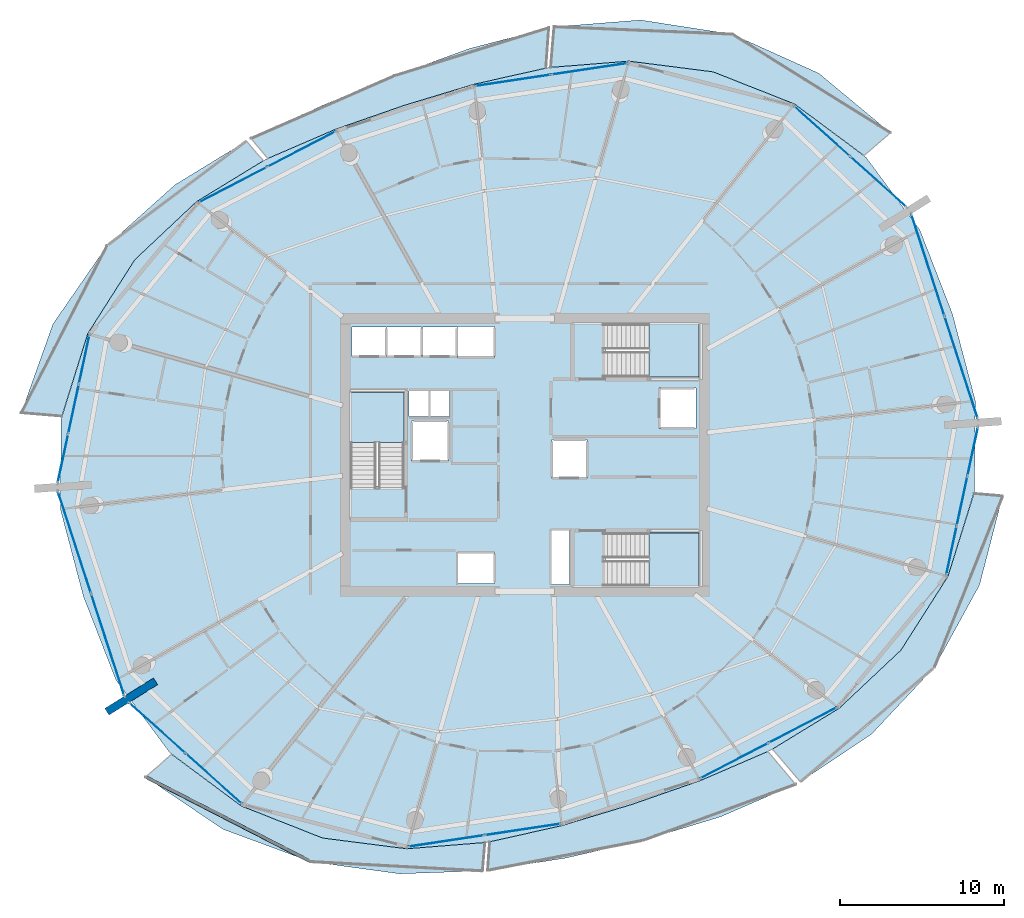
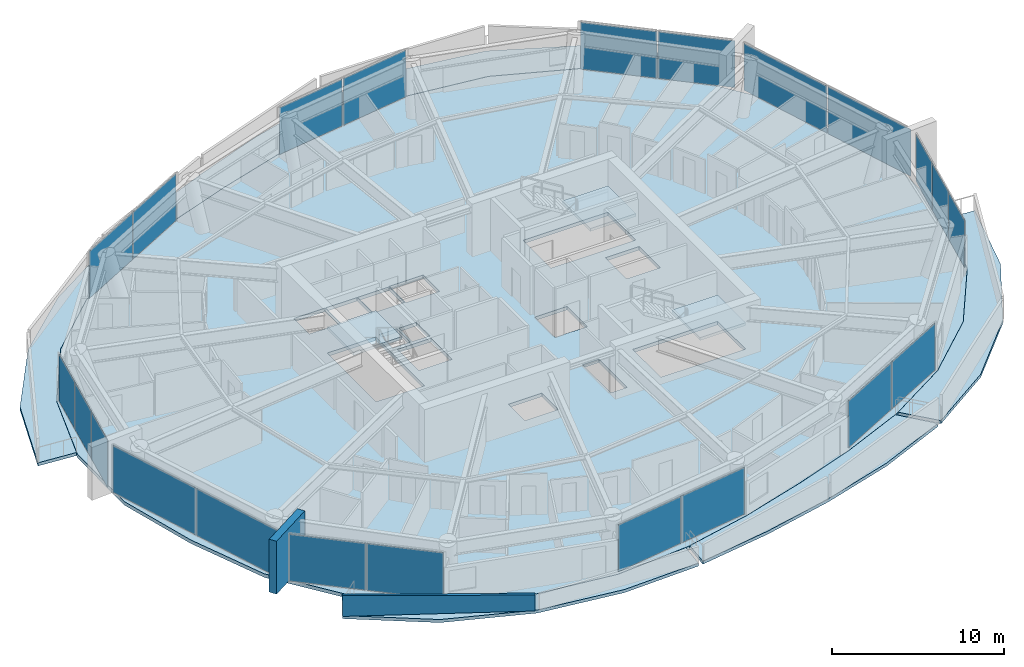
# One storey, part 9 of 20: 22 plates, 10 slabs, 2 walls, 13 elements without a shape of their own.
"""IFC4 building model written with IfcOpenShell, lengths in metres."""

import ifcopenshell
import ifcopenshell.guid

model = None  # the IFC model being written
_history = None  # IfcOwnerHistory: only IFC2X3 demands one
_inside = {}  # id of a spatial element -> (the spatial element, [elements in it])
_under = {}  # id of a project, library or spatial element -> (it, [spatial elements below it])
_declared = {}  # id of a project -> (the project, [libraries it declares])
_typed = {}  # id of a type object -> (the type object, [elements of that type])
_made_of = {}  # id of a material, layer set ... -> (it, [elements and type objects made of it])


def new_model(schema):
    """Start an empty IFC model of exactly this schema.

    Asked for "IFC4X3", IfcOpenShell would pick the latest addendum, in which some entities
    have other attributes; the version numbers below select the first issue.
    IFC2X3 requires an IfcOwnerHistory on every rooted entity: one is made here for all.
    """
    global model, _history
    if schema == "IFC4X3":
        model = ifcopenshell.file(schema_version=(4, 3, 0, 0))
    else:
        model = ifcopenshell.file(schema=schema)
    _inside.clear()
    _under.clear()
    _declared.clear()
    _typed.clear()
    _made_of.clear()
    _history = None
    if model.schema == "IFC2X3":
        org = make("IfcOrganization", Name="unknown")
        user = make(
            "IfcPersonAndOrganization",
            ThePerson=make("IfcPerson", FamilyName="unknown"),
            TheOrganization=org,
        )
        app = make(
            "IfcApplication",
            ApplicationDeveloper=org,
            Version="unknown",
            ApplicationFullName="unknown",
            ApplicationIdentifier="unknown",
        )
        _history = make(
            "IfcOwnerHistory",
            OwningUser=user,
            OwningApplication=app,
            ChangeAction="ADDED",
            CreationDate=0,
        )
    return model


def make(cls, **values):
    """One entity of the class cls with the attributes given. An attribute that is None is left unset."""
    return model.create_entity(
        cls, **{name: value for name, value in values.items() if value is not None}
    )


def rooted(cls, **values):
    """An entity with a GlobalId (a new one), such as an element, a storey or a relation."""
    return make(cls, GlobalId=ifcopenshell.guid.new(), OwnerHistory=_history, **values)


def si_unit(unit_type, name, prefix=None):
    """IfcSIUnit, for example si_unit("LENGTHUNIT", "METRE", prefix="MILLI")."""
    return make("IfcSIUnit", UnitType=unit_type, Prefix=prefix, Name=name)


def assignment(units):
    """IfcUnitAssignment: the units of a project."""
    return None if units is None else make("IfcUnitAssignment", Units=units)


def point(xyz):
    """IfcCartesianPoint."""
    return None if xyz is None else make("IfcCartesianPoint", Coordinates=xyz)


def direction(xyz):
    """IfcDirection."""
    return None if xyz is None else make("IfcDirection", DirectionRatios=xyz)


def frame(location, z_axis=None, x_axis=None):
    """IfcAxis2Placement3D, a coordinate frame: its origin and axes. An axis left out is left unset."""
    return make(
        "IfcAxis2Placement3D",
        Location=point(location),
        Axis=direction(z_axis),
        RefDirection=direction(x_axis),
    )


def frame_2d(location, x_axis=None):
    """IfcAxis2Placement2D, a coordinate frame in the plane: its origin and x axis."""
    return make(
        "IfcAxis2Placement2D", Location=point(location), RefDirection=direction(x_axis)
    )


def origin():
    """The frame at (0, 0, 0) with its axes left unset."""
    return frame((0.0, 0.0, 0.0))


def origin_2d():
    """The frame at (0, 0) in the plane with its x axis left unset."""
    return frame_2d((0.0, 0.0))


def place(relative_to, where):
    """IfcLocalPlacement: puts the frame where relative to a parent placement (None: the world)."""
    return make(
        "IfcLocalPlacement", PlacementRelTo=relative_to, RelativePlacement=where
    )


def context(
    kind, dimensions, precision=None, world=None, true_north=None, identifier=None
):
    """IfcGeometricRepresentationContext, for example the 3D "Model" context."""
    return make(
        "IfcGeometricRepresentationContext",
        ContextIdentifier=identifier,
        ContextType=kind,
        CoordinateSpaceDimension=dimensions,
        Precision=precision,
        WorldCoordinateSystem=world,
        TrueNorth=true_north,
    )


def subcontext(parent, identifier, kind, view, scale=None):
    """IfcGeometricRepresentationSubContext, for example "Body" below "Model"."""
    return make(
        "IfcGeometricRepresentationSubContext",
        ContextIdentifier=identifier,
        ContextType=kind,
        ParentContext=parent,
        TargetScale=scale,
        TargetView=view,
    )


def project(units=None, contexts=None):
    """IfcProject with its units and contexts."""
    return rooted(
        "IfcProject",
        Name="project",
        RepresentationContexts=contexts,
        UnitsInContext=assignment(units),
    )


def spatial(cls, under=None, at=None, **own):
    """A site, building, storey or space (cls), placed at a placement, below another one or the project."""
    s = rooted(cls, ObjectPlacement=at, **own)
    if under is not None:
        _under.setdefault(under.id(), (under, []))[1].append(s)
    return s


def polyline(points):
    """IfcPolyline through the points."""
    return make("IfcPolyline", Points=[point(p) for p in points])


def profile(cls, at=None, kind="AREA", **sizes):
    """A parametric profile (cls). Its sizes go by their IFC names, for example OverallWidth=200.0."""
    return make(cls, ProfileType=kind, Position=at, **sizes)


def rectangle(**sizes):
    """IfcRectangleProfileDef."""
    return profile("IfcRectangleProfileDef", **sizes)


def outline(outer, holes=None, kind="AREA"):
    """IfcArbitraryClosedProfileDef: a profile drawn as a closed curve; with holes, ...WithVoids."""
    if holes is None:
        return make("IfcArbitraryClosedProfileDef", ProfileType=kind, OuterCurve=outer)
    return make(
        "IfcArbitraryProfileDefWithVoids",
        ProfileType=kind,
        OuterCurve=outer,
        InnerCurves=holes,
    )


def extrude(swept, where, along, depth):
    """IfcExtrudedAreaSolid: the profile swept, set in the frame where, extruded along a direction by depth."""
    return make(
        "IfcExtrudedAreaSolid",
        SweptArea=swept,
        Position=where,
        ExtrudedDirection=direction(along),
        Depth=depth,
    )


def shape(context_of_items, identifier, shape_type, items):
    """IfcShapeRepresentation: the items that make up one representation, for example the "Body"."""
    return make(
        "IfcShapeRepresentation",
        ContextOfItems=context_of_items,
        RepresentationIdentifier=identifier,
        RepresentationType=shape_type,
        Items=items,
    )


def material(Name=None, Category=None):
    """IfcMaterial."""
    return make("IfcMaterial", Name=Name, Category=Category)


def layer(
    of_material, thickness, ventilated=None, Name=None, Category=None, Priority=None
):
    """IfcMaterialLayer: one layer of a wall or slab, of a material (None: an air gap)."""
    return make(
        "IfcMaterialLayer",
        Material=of_material,
        LayerThickness=thickness,
        IsVentilated=ventilated,
        Name=Name,
        Category=Category,
        Priority=Priority,
    )


def layer_set(layers, Name=None):
    """IfcMaterialLayerSet."""
    return make("IfcMaterialLayerSet", MaterialLayers=layers, LayerSetName=Name)


def made_of(thing, what):
    """Note that an element or type object is made of a material, layer set ...; save() writes the relation."""
    if what is not None:
        _made_of.setdefault(what.id(), (what, []))[1].append(thing)
    return thing


def type_object(cls, material=None, **own):
    """A type object (cls), such as IfcWallType, which elements share."""
    return made_of(rooted(cls, **own), material)


def element(
    cls,
    number,
    at=None,
    inside=None,
    cuts=None,
    type_object=None,
    material=None,
    context=None,
    identifier="Body",
    shape_type=None,
    held_by="IfcProductDefinitionShape",
    body=None,
    shapes=None,
    **own,
):
    """One element of the class cls, such as IfcWall. Its Tag is "e" and its number.

    at: its placement. inside: the storey or other place that contains it. cuts: it is an
    opening in that element (IfcRelVoidsElement). A single representation is given by context,
    identifier, shape_type and body (its items); several are given by shapes. held_by: the class
    of the entity that holds the representations. save() writes the other relations.
    """
    e = rooted(cls, Tag="e%d" % number, ObjectPlacement=at, **own)
    if body is not None:
        shapes = [shape(context, identifier, shape_type, body)]
    if shapes is not None:
        e.Representation = make(held_by, Representations=shapes)
    if inside is not None:
        _inside.setdefault(inside.id(), (inside, []))[1].append(e)
    if cuts is not None:
        rooted(
            "IfcRelVoidsElement", RelatingBuildingElement=cuts, RelatedOpeningElement=e
        )
    if type_object is not None:
        _typed.setdefault(type_object.id(), (type_object, []))[1].append(e)
    return made_of(e, material)


def aggregate(whole, parts):
    """IfcRelAggregates: a whole, such as a stair, and the parts it consists of."""
    return rooted("IfcRelAggregates", RelatingObject=whole, RelatedObjects=parts)


def save(model, path):
    """Write the relations noted so far, then the file.

    IfcRelAggregates (storeys below a building ...), IfcRelContainedInSpatialStructure (elements
    in a storey), IfcRelDefinesByType, IfcRelAssociatesMaterial and IfcRelDeclares: one each for
    every whole, place, type object, material and project.
    """
    for whole, parts in _under.values():
        aggregate(whole, parts)
    for where, things in _inside.values():
        rooted(
            "IfcRelContainedInSpatialStructure",
            RelatedElements=things,
            RelatingStructure=where,
        )
    for kind, things in _typed.values():
        rooted("IfcRelDefinesByType", RelatedObjects=things, RelatingType=kind)
    for what, things in _made_of.values():
        rooted("IfcRelAssociatesMaterial", RelatedObjects=things, RelatingMaterial=what)
    for by, libraries in _declared.values():
        rooted("IfcRelDeclares", RelatingContext=by, RelatedDefinitions=libraries)
    model.write(path)


model = new_model("IFC4")

# Units and contexts
model_context = context("Model", 3, precision=1e-05, world=origin(), true_north=direction((0.0, 1.0)))
body_context = subcontext(model_context, "Body", "Model", "MODEL_VIEW")
ifc_project = project(units=[si_unit("LENGTHUNIT", "METRE"), si_unit("AREAUNIT", "SQUARE_METRE"), si_unit("VOLUMEUNIT", "CUBIC_METRE"), si_unit("PLANEANGLEUNIT", "RADIAN"), si_unit("MASSUNIT", "GRAM", prefix="KILO")], contexts=[model_context])

# Site, building, storey
site_placement = place(None, origin())
site = spatial("IfcSite", under=ifc_project, at=site_placement, CompositionType="ELEMENT")
building_placement = place(site_placement, origin())
building = spatial("IfcBuilding", under=site, at=building_placement, Name="Kazma Halo Residences", CompositionType="ELEMENT")
storey_placement = place(building_placement, frame((0.0, 0.0, 221.550048828125)))
storey = spatial("IfcBuildingStorey", under=building, at=storey_placement, Name="L56", CompositionType="ELEMENT", Elevation=221.550048828125)

# Curtain wall, plates
ifc_material_1 = material(Name="Aluminium AW-6063 T6 and Triple-Silver Low-E Glass", Category="aluminium")
ifc_layer_1 = layer(ifc_material_1, 0.219970703125)
ifc_layer_set_1 = layer_set([ifc_layer_1], Name="Aluminium AW-6063 T6 and Triple-Silver Low-E Glass")
curtain_wall_type = type_object("IfcCurtainWallType", Name="CW-SYS-4", PredefinedType="NOTDEFINED", material=ifc_layer_set_1)
curtain_wall_1_placement = place(storey_placement, origin())
curtain_wall_1 = element("IfcCurtainWall", 1, at=curtain_wall_1_placement, inside=storey, type_object=curtain_wall_type, Name="L56 unitised curtain wall B01", PredefinedType="NOTDEFINED")
ifc_material_2 = material(Name="Clear Triple-Silver Low-E Glass IGU", Category="glass")
ifc_layer_2 = layer(ifc_material_2, 0.033935546875)
ifc_layer_set_2 = layer_set([ifc_layer_2], Name="Clear Triple-Silver Low-E Glass IGU")
plate_type = type_object("IfcPlateType", Name="CW-SYS-4-PNL", PredefinedType="CURTAIN_PANEL", material=ifc_layer_set_2)
plate_1_placement = place(storey_placement, frame((70.001220703125, 58.669677734375, 0.07470703125), z_axis=(0.0, 0.0, 1.0), x_axis=(-0.744354814723, 0.667784328806, 0.0)))
plate_1 = element("IfcPlate", 2, at=plate_1_placement, type_object=plate_type, Name="CWS-4 panel 1.1", PredefinedType="CURTAIN_PANEL", context=body_context, shape_type="SweptSolid", body=[
    extrude(rectangle(XDim=4.5478515625, YDim=0.033935546875, at=origin_2d()), origin(), (0.0, 0.0, 1.0), 3.320068359375),
])
plate_2_placement = place(storey_placement, frame((66.56005859375, 61.7568359375, 0.07470703125), z_axis=(0.0, 0.0, 1.0), x_axis=(-0.744354814723, 0.667784328806, 0.0)))
plate_2 = element("IfcPlate", 3, at=plate_2_placement, type_object=plate_type, Name="CWS-4 panel 2.1", PredefinedType="CURTAIN_PANEL", context=body_context, shape_type="SweptSolid", body=[
    extrude(rectangle(XDim=4.5478515625, YDim=0.033935546875, at=origin_2d()), origin(), (0.0, 0.0, 1.0), 3.320068359375),
])
aggregate(curtain_wall_1, [plate_1, plate_2])

curtain_wall_2_placement = place(storey_placement, origin())
curtain_wall_2 = element("IfcCurtainWall", 4, at=curtain_wall_2_placement, inside=storey, type_object=curtain_wall_type, Name="L56 unitised curtain wall B03", PredefinedType="NOTDEFINED")
plate_3_placement = place(storey_placement, frame((52.375, 65.562255859375, 0.07470703125), z_axis=(0.0, 0.0, 1.0), x_axis=(-0.988871428361, -0.148772639188, 0.0)))
plate_3 = element("IfcPlate", 5, at=plate_3_placement, type_object=plate_type, Name="CWS-4 panel 1.1", PredefinedType="CURTAIN_PANEL", context=body_context, shape_type="SweptSolid", body=[
    extrude(rectangle(XDim=4.64501953125, YDim=0.033935546875, at=origin_2d()), origin(), (0.0, 0.0, 1.0), 3.320068359375),
])
plate_4_placement = place(storey_placement, frame((47.70751953125, 64.860107421875, 0.07470703125), z_axis=(0.0, 0.0, 1.0), x_axis=(-0.988871428361, -0.148772639188, 0.0)))
plate_4 = element("IfcPlate", 6, at=plate_4_placement, type_object=plate_type, Name="CWS-4 panel 2.1", PredefinedType="CURTAIN_PANEL", context=body_context, shape_type="SweptSolid", body=[
    extrude(rectangle(XDim=4.64501953125, YDim=0.033935546875, at=origin_2d()), origin(), (0.0, 0.0, 1.0), 3.320068359375),
])
aggregate(curtain_wall_2, [plate_3, plate_4])

curtain_wall_3_placement = place(storey_placement, origin())
curtain_wall_3 = element("IfcCurtainWall", 7, at=curtain_wall_3_placement, inside=storey, type_object=curtain_wall_type, Name="L56 unitised curtain wall B05", PredefinedType="NOTDEFINED")
plate_5_placement = place(storey_placement, frame((34.7998046875, 60.666015625, 0.07470703125), z_axis=(0.0, 0.0, 1.0), x_axis=(-0.887465657575, -0.460873851097, 0.0)))
plate_5 = element("IfcPlate", 8, at=plate_5_placement, type_object=plate_type, Name="CWS-4 panel 1.1", PredefinedType="CURTAIN_PANEL", context=body_context, shape_type="SweptSolid", body=[
    extrude(rectangle(XDim=4.64501953125, YDim=0.033935546875, at=origin_2d()), origin(), (0.0, 0.0, 1.0), 3.320068359375),
])
plate_6_placement = place(storey_placement, frame((30.61083984375, 58.49072265625, 0.07470703125), z_axis=(0.0, 0.0, 1.0), x_axis=(-0.887465657575, -0.460873851097, 0.0)))
plate_6 = element("IfcPlate", 9, at=plate_6_placement, type_object=plate_type, Name="CWS-4 panel 2.1", PredefinedType="CURTAIN_PANEL", context=body_context, shape_type="SweptSolid", body=[
    extrude(rectangle(XDim=4.64501953125, YDim=0.033935546875, at=origin_2d()), origin(), (0.0, 0.0, 1.0), 3.320068359375),
])
aggregate(curtain_wall_3, [plate_5, plate_6])

curtain_wall_4_placement = place(storey_placement, origin())
curtain_wall_4 = element("IfcCurtainWall", 10, at=curtain_wall_4_placement, inside=storey, type_object=curtain_wall_type, Name="L56 unitised curtain wall B07", PredefinedType="NOTDEFINED")
plate_7_placement = place(storey_placement, frame((21.53466796875, 47.833740234375, 0.07470703125), z_axis=(0.0, 0.0, 1.0), x_axis=(-0.209689543175, -0.977768017212, 0.0)))
plate_7 = element("IfcPlate", 11, at=plate_7_placement, type_object=plate_type, Name="CWS-4 panel 1.1", PredefinedType="CURTAIN_PANEL", context=body_context, shape_type="SweptSolid", body=[
    extrude(rectangle(XDim=2.994384765625, YDim=0.033935546875, at=origin_2d()), origin(), (0.0, 0.0, 1.0), 3.320068359375),
])
plate_8_placement = place(storey_placement, frame((20.88720703125, 44.814208984375, 0.07470703125), z_axis=(0.0, 0.0, 1.0), x_axis=(-0.209689543175, -0.977768017212, 0.0)))
plate_8 = element("IfcPlate", 12, at=plate_8_placement, type_object=plate_type, Name="CWS-4 panel 2.1", PredefinedType="CURTAIN_PANEL", context=body_context, shape_type="SweptSolid", body=[
    extrude(rectangle(XDim=3.031982421875, YDim=0.033935546875, at=origin_2d()), origin(), (0.0, 0.0, 1.0), 3.320068359375),
])
plate_9_placement = place(storey_placement, frame((20.239501953125, 41.794677734375, 0.07470703125), z_axis=(0.0, 0.0, 1.0), x_axis=(-0.209689543175, -0.977768017212, 0.0)))
plate_9 = element("IfcPlate", 13, at=plate_9_placement, type_object=plate_type, Name="CWS-4 panel 3.1", PredefinedType="CURTAIN_PANEL", context=body_context, shape_type="SweptSolid", body=[
    extrude(rectangle(XDim=2.994384765625, YDim=0.033935546875, at=origin_2d()), origin(), (0.0, 0.0, 1.0), 3.320068359375),
])
aggregate(curtain_wall_4, [plate_7, plate_8, plate_9])

curtain_wall_5_placement = place(storey_placement, origin())
curtain_wall_5 = element("IfcCurtainWall", 14, at=curtain_wall_5_placement, inside=storey, type_object=curtain_wall_type, Name="L56 unitised curtain wall B08", PredefinedType="NOTDEFINED")
plate_10_placement = place(storey_placement, frame((20.942626953125, 36.658447265625, 0.07470703125), z_axis=(0.0, 0.0, 1.0), x_axis=(0.309015833038, -0.951056893636, 0.0)))
plate_10 = element("IfcPlate", 15, at=plate_10_placement, type_object=plate_type, Name="CWS-4 panel 1.1", PredefinedType="CURTAIN_PANEL", context=body_context, shape_type="SweptSolid", body=[
    extrude(rectangle(XDim=6.487060546875, YDim=0.033935546875, at=origin_2d()), origin(), (0.0, 0.0, 1.0), 3.320068359375),
])
plate_11_placement = place(storey_placement, frame((22.970458984375, 30.41748046875, 0.07470703125), z_axis=(0.0, 0.0, 1.0), x_axis=(0.309015833038, -0.951056893636, 0.0)))
plate_11 = element("IfcPlate", 16, at=plate_11_placement, type_object=plate_type, Name="CWS-4 panel 2.1", PredefinedType="CURTAIN_PANEL", context=body_context, shape_type="SweptSolid", body=[
    extrude(rectangle(XDim=6.487060546875, YDim=0.033935546875, at=origin_2d()), origin(), (0.0, 0.0, 1.0), 3.320068359375),
])
aggregate(curtain_wall_5, [plate_10, plate_11])

curtain_wall_6_placement = place(storey_placement, origin())
curtain_wall_6 = element("IfcCurtainWall", 17, at=curtain_wall_6_placement, inside=storey, type_object=curtain_wall_type, Name="L56 unitised curtain wall B09", PredefinedType="NOTDEFINED")
plate_12_placement = place(storey_placement, frame((25.998779296875, 25.330322265625, 0.07470703125), z_axis=(0.0, 0.0, 1.0), x_axis=(0.744354814723, -0.667784328806, 0.0)))
plate_12 = element("IfcPlate", 18, at=plate_12_placement, type_object=plate_type, Name="CWS-4 panel 1.1", PredefinedType="CURTAIN_PANEL", context=body_context, shape_type="SweptSolid", body=[
    extrude(rectangle(XDim=4.5478515625, YDim=0.033935546875, at=origin_2d()), origin(), (0.0, 0.0, 1.0), 3.320068359375),
])
plate_13_placement = place(storey_placement, frame((29.43994140625, 22.2431640625, 0.07470703125), z_axis=(0.0, 0.0, 1.0), x_axis=(0.744354814723, -0.667784328806, 0.0)))
plate_13 = element("IfcPlate", 19, at=plate_13_placement, type_object=plate_type, Name="CWS-4 panel 2.1", PredefinedType="CURTAIN_PANEL", context=body_context, shape_type="SweptSolid", body=[
    extrude(rectangle(XDim=4.5478515625, YDim=0.033935546875, at=origin_2d()), origin(), (0.0, 0.0, 1.0), 3.320068359375),
])
aggregate(curtain_wall_6, [plate_12, plate_13])

curtain_wall_7_placement = place(storey_placement, origin())
curtain_wall_7 = element("IfcCurtainWall", 20, at=curtain_wall_7_placement, inside=storey, type_object=curtain_wall_type, Name="L56 unitised curtain wall B11", PredefinedType="NOTDEFINED")
plate_14_placement = place(storey_placement, frame((43.625, 18.437744140625, 0.07470703125), z_axis=(0.0, 0.0, 1.0), x_axis=(0.988871428361, 0.148772639188, 0.0)))
plate_14 = element("IfcPlate", 21, at=plate_14_placement, type_object=plate_type, Name="CWS-4 panel 1.1", PredefinedType="CURTAIN_PANEL", context=body_context, shape_type="SweptSolid", body=[
    extrude(rectangle(XDim=4.64501953125, YDim=0.033935546875, at=origin_2d()), origin(), (0.0, 0.0, 1.0), 3.320068359375),
])
plate_15_placement = place(storey_placement, frame((48.29248046875, 19.139892578125, 0.07470703125), z_axis=(0.0, 0.0, 1.0), x_axis=(0.988871428361, 0.148772639188, 0.0)))
plate_15 = element("IfcPlate", 22, at=plate_15_placement, type_object=plate_type, Name="CWS-4 panel 2.1", PredefinedType="CURTAIN_PANEL", context=body_context, shape_type="SweptSolid", body=[
    extrude(rectangle(XDim=4.64501953125, YDim=0.033935546875, at=origin_2d()), origin(), (0.0, 0.0, 1.0), 3.320068359375),
])
aggregate(curtain_wall_7, [plate_14, plate_15])

curtain_wall_8_placement = place(storey_placement, origin())
curtain_wall_8 = element("IfcCurtainWall", 23, at=curtain_wall_8_placement, inside=storey, type_object=curtain_wall_type, Name="L56 unitised curtain wall B13", PredefinedType="NOTDEFINED")
plate_16_placement = place(storey_placement, frame((61.2001953125, 23.333984375, 0.07470703125), z_axis=(0.0, 0.0, 1.0), x_axis=(0.887465657575, 0.460873851097, 0.0)))
plate_16 = element("IfcPlate", 24, at=plate_16_placement, type_object=plate_type, Name="CWS-4 panel 1.1", PredefinedType="CURTAIN_PANEL", context=body_context, shape_type="SweptSolid", body=[
    extrude(rectangle(XDim=4.64501953125, YDim=0.033935546875, at=origin_2d()), origin(), (0.0, 0.0, 1.0), 3.320068359375),
])
plate_17_placement = place(storey_placement, frame((65.38916015625, 25.50927734375, 0.07470703125), z_axis=(0.0, 0.0, 1.0), x_axis=(0.887465657575, 0.460873851097, 0.0)))
plate_17 = element("IfcPlate", 25, at=plate_17_placement, type_object=plate_type, Name="CWS-4 panel 2.1", PredefinedType="CURTAIN_PANEL", context=body_context, shape_type="SweptSolid", body=[
    extrude(rectangle(XDim=4.64501953125, YDim=0.033935546875, at=origin_2d()), origin(), (0.0, 0.0, 1.0), 3.320068359375),
])
aggregate(curtain_wall_8, [plate_16, plate_17])

curtain_wall_9_placement = place(storey_placement, origin())
curtain_wall_9 = element("IfcCurtainWall", 26, at=curtain_wall_9_placement, inside=storey, type_object=curtain_wall_type, Name="L56 unitised curtain wall B15", PredefinedType="NOTDEFINED")
plate_18_placement = place(storey_placement, frame((74.46533203125, 36.166259765625, 0.07470703125), z_axis=(0.0, 0.0, 1.0), x_axis=(0.209689543175, 0.977768017212, 0.0)))
plate_18 = element("IfcPlate", 27, at=plate_18_placement, type_object=plate_type, Name="CWS-4 panel 1.1", PredefinedType="CURTAIN_PANEL", context=body_context, shape_type="SweptSolid", body=[
    extrude(rectangle(XDim=2.994384765625, YDim=0.033935546875, at=origin_2d()), origin(), (0.0, 0.0, 1.0), 3.320068359375),
])
plate_19_placement = place(storey_placement, frame((75.11279296875, 39.185791015625, 0.07470703125), z_axis=(0.0, 0.0, 1.0), x_axis=(0.209689543175, 0.977768017212, 0.0)))
plate_19 = element("IfcPlate", 28, at=plate_19_placement, type_object=plate_type, Name="CWS-4 panel 2.1", PredefinedType="CURTAIN_PANEL", context=body_context, shape_type="SweptSolid", body=[
    extrude(rectangle(XDim=3.031982421875, YDim=0.033935546875, at=origin_2d()), origin(), (0.0, 0.0, 1.0), 3.320068359375),
])
plate_20_placement = place(storey_placement, frame((75.760498046875, 42.205322265625, 0.07470703125), z_axis=(0.0, 0.0, 1.0), x_axis=(0.209689543175, 0.977768017212, 0.0)))
plate_20 = element("IfcPlate", 29, at=plate_20_placement, type_object=plate_type, Name="CWS-4 panel 3.1", PredefinedType="CURTAIN_PANEL", context=body_context, shape_type="SweptSolid", body=[
    extrude(rectangle(XDim=2.994384765625, YDim=0.033935546875, at=origin_2d()), origin(), (0.0, 0.0, 1.0), 3.320068359375),
])
aggregate(curtain_wall_9, [plate_18, plate_19, plate_20])

curtain_wall_10_placement = place(storey_placement, origin())
curtain_wall_10 = element("IfcCurtainWall", 30, at=curtain_wall_10_placement, inside=storey, type_object=curtain_wall_type, Name="L56 unitised curtain wall B16", PredefinedType="NOTDEFINED")
plate_21_placement = place(storey_placement, frame((75.057373046875, 47.341552734375, 0.07470703125), z_axis=(0.0, 0.0, 1.0), x_axis=(-0.309015833038, 0.951056893636, 0.0)))
plate_21 = element("IfcPlate", 31, at=plate_21_placement, type_object=plate_type, Name="CWS-4 panel 1.1", PredefinedType="CURTAIN_PANEL", context=body_context, shape_type="SweptSolid", body=[
    extrude(rectangle(XDim=6.487060546875, YDim=0.033935546875, at=origin_2d()), origin(), (0.0, 0.0, 1.0), 3.320068359375),
])
plate_22_placement = place(storey_placement, frame((73.029541015625, 53.58251953125, 0.07470703125), z_axis=(0.0, 0.0, 1.0), x_axis=(-0.309015833038, 0.951056893636, 0.0)))
plate_22 = element("IfcPlate", 32, at=plate_22_placement, type_object=plate_type, Name="CWS-4 panel 2.1", PredefinedType="CURTAIN_PANEL", context=body_context, shape_type="SweptSolid", body=[
    extrude(rectangle(XDim=6.487060546875, YDim=0.033935546875, at=origin_2d()), origin(), (0.0, 0.0, 1.0), 3.320068359375),
])
aggregate(curtain_wall_10, [plate_21, plate_22])

# Slabs
ifc_material_3 = material(Name="White Concrete C50/60", Category="concrete")
ifc_layer_3 = layer(ifc_material_3, 0.219970703125)
ifc_layer_set_3 = layer_set([ifc_layer_3], Name="White Concrete C50/60")
slab_type_1 = type_object("IfcSlabType", Name="SLB-BAL-WAVE-210", PredefinedType="FLOOR", material=ifc_layer_set_3)
slab_1_placement = place(storey_placement, frame((0.0, 0.0, -0.219970703125)))
element("IfcSlab", 33, at=slab_1_placement, inside=storey, type_object=slab_type_1, Name="L56 NE cantilevered wave balcony slab", PredefinedType="FLOOR", context=body_context, shape_type="SweptSolid", body=[
    extrude(outline(polyline([(69.130126953125, 60.271240234375), (64.88720703125, 63.421142578125), (59.913818359375, 65.382080078125), (54.779052734375, 66.036376953125), (50.007080078125, 65.656005859375), (50.21728515625, 68.130615234375), (55.48681640625, 68.546630859375), (61.084228515625, 67.679443359375), (66.36474609375, 65.295654296875), (70.740234375, 61.66357421875), (69.130126953125, 60.271240234375)])), origin(), (0.0, 0.0, 1.0), 0.219970703125),
])
slab_2_placement = place(storey_placement, frame((0.0, 0.0, -0.219970703125)))
element("IfcSlab", 34, at=slab_2_placement, inside=storey, type_object=slab_type_1, Name="L56 NNW cantilevered wave balcony slab", PredefinedType="FLOOR", context=body_context, shape_type="SweptSolid", body=[
    extrude(outline(polyline([(49.713134765625, 65.612060546875), (45.322265625, 64.62451171875), (41.066650390625, 63.338623046875), (36.867919921875, 61.877685546875), (32.735107421875, 60.095458984375), (31.71337890625, 61.306884765625), (36.05419921875, 63.330810546875), (40.479736328125, 65.144775390625), (45.063720703125, 66.80859375), (49.8916015625, 68.071044921875), (49.713134765625, 65.612060546875)])), origin(), (0.0, 0.0, 1.0), 0.219970703125),
])
slab_3_placement = place(storey_placement, frame((0.0, 0.0, -0.219970703125)))
element("IfcSlab", 35, at=slab_3_placement, inside=storey, type_object=slab_type_1, Name="L56 NW cantilevered wave balcony slab", PredefinedType="FLOOR", context=body_context, shape_type="SweptSolid", body=[
    extrude(outline(polyline([(32.471435546875, 59.958251953125), (28.387451171875, 57.461181640625), (24.617919921875, 53.913818359375), (21.7470703125, 49.404052734375), (20.165771484375, 44.36181640625), (17.694580078125, 44.5712890625), (19.630126953125, 50.001220703125), (22.926025390625, 54.77587890625), (27.079345703125, 58.492431640625), (31.431884765625, 61.160400390625), (32.471435546875, 59.958251953125)])), origin(), (0.0, 0.0, 1.0), 0.219970703125),
])
slab_4_placement = place(storey_placement, frame((0.0, 0.0, -0.219970703125)))
element("IfcSlab", 36, at=slab_4_placement, inside=storey, type_object=slab_type_1, Name="L56 SW cantilevered wave balcony slab", PredefinedType="FLOOR", context=body_context, shape_type="SweptSolid", body=[
    extrude(outline(polyline([(26.869873046875, 23.728759765625), (31.11279296875, 20.578857421875), (36.086181640625, 18.617919921875), (41.220947265625, 17.963623046875), (45.992919921875, 18.343994140625), (45.84619140625, 16.615478515625), (40.7900390625, 16.435302734375), (35.351806640625, 17.1767578125), (29.992919921875, 19.158203125), (25.274169921875, 22.34912109375), (26.869873046875, 23.728759765625)])), origin(), (0.0, 0.0, 1.0), 0.219970703125),
])
slab_5_placement = place(storey_placement, frame((0.0, 0.0, -0.219970703125)))
element("IfcSlab", 37, at=slab_5_placement, inside=storey, type_object=slab_type_1, Name="L56 SSE cantilevered wave balcony slab", PredefinedType="FLOOR", context=body_context, shape_type="SweptSolid", body=[
    extrude(outline(polyline([(46.286865234375, 18.387939453125), (50.677734375, 19.37548828125), (54.933349609375, 20.661376953125), (59.132080078125, 22.122314453125), (63.264892578125, 23.904541015625), (64.95703125, 21.8984375), (60.368408203125, 19.914794921875), (55.64306640625, 18.476806640625), (50.91259765625, 17.392822265625), (46.16064453125, 16.648681640625), (46.286865234375, 18.387939453125)])), origin(), (0.0, 0.0, 1.0), 0.219970703125),
])
slab_6_placement = place(storey_placement, frame((0.0, 0.0, -0.219970703125)))
element("IfcSlab", 38, at=slab_6_placement, inside=storey, type_object=slab_type_1, Name="L56 SE cantilevered wave balcony slab", PredefinedType="FLOOR", context=body_context, shape_type="SweptSolid", body=[
    extrude(outline(polyline([(63.528564453125, 24.041748046875), (67.612548828125, 26.538818359375), (71.382080078125, 30.086181640625), (74.2529296875, 34.595947265625), (75.834228515625, 39.63818359375), (77.586181640625, 39.489501953125), (76.174560546875, 34.053955078125), (73.4287109375, 29.04345703125), (69.599609375, 24.97216796875), (65.248291015625, 22.052978515625), (63.528564453125, 24.041748046875)])), origin(), (0.0, 0.0, 1.0), 0.219970703125),
])
ifc_material_4 = material(Name="Concrete C50/60", Category="concrete")
ifc_layer_4 = layer(ifc_material_4, 0.25)
ifc_layer_set_4 = layer_set([ifc_layer_4], Name="Concrete C50/60")
slab_type_2 = type_object("IfcSlabType", Name="SLB-RES-250", PredefinedType="FLOOR", material=ifc_layer_set_4)
slab_7_placement = place(storey_placement, frame((0.0, 0.0, -0.25)))
element("IfcSlab", 39, at=slab_7_placement, inside=storey, type_object=slab_type_2, Name="L56 structural floor slab", PredefinedType="FLOOR", context=body_context, shape_type="SweptSolid", body=[
    extrude(outline(polyline([(74.521484375, 50.617431640625), (72.531982421875, 55.738525390625), (69.2587890625, 60.156494140625), (64.8857421875, 63.41943359375), (59.912841796875, 65.380126953125), (54.7783203125, 66.034423828125), (49.860595703125, 65.64111328125), (45.322509765625, 64.62255859375), (41.0673828125, 63.336669921875), (36.868896484375, 61.875732421875), (32.598876953125, 60.032470703125), (28.388916015625, 57.460205078125), (24.619873046875, 53.912841796875), (21.7490234375, 49.403564453125), (20.129150390625, 44.193603515625), (20.07763671875, 38.6953125), (21.478515625, 33.382568359375), (23.468017578125, 28.261474609375), (26.7412109375, 23.843505859375), (31.1142578125, 20.58056640625), (36.087158203125, 18.619873046875), (41.2216796875, 17.965576171875), (46.139404296875, 18.35888671875), (50.677490234375, 19.37744140625), (54.9326171875, 20.663330078125), (59.131103515625, 22.124267578125), (63.401123046875, 23.967529296875), (67.611083984375, 26.539794921875), (71.380126953125, 30.087158203125), (74.2509765625, 34.596435546875), (75.870849609375, 39.806396484375), (75.92236328125, 45.3046875), (74.521484375, 50.617431640625)]), holes=[polyline([(37.800048828125, 40.110107421875), (41.050048828125, 40.110107421875), (41.050048828125, 45.800048828125), (37.800048828125, 45.800048828125), (37.800048828125, 40.110107421875)]), polyline([(53.360107421875, 46.75), (59.050048828125, 46.75), (59.050048828125, 50.0), (53.360107421875, 50.0), (53.360107421875, 46.75)]), polyline([(53.360107421875, 34.0), (59.050048828125, 34.0), (59.050048828125, 37.25), (53.360107421875, 37.25), (53.360107421875, 34.0)]), polyline([(41.52001953125, 41.6201171875), (43.780029296875, 41.6201171875), (43.780029296875, 44.080078125), (41.52001953125, 44.080078125), (41.52001953125, 41.6201171875)]), polyline([(56.6201171875, 43.6201171875), (58.8798828125, 43.6201171875), (58.8798828125, 46.080078125), (56.6201171875, 46.080078125), (56.6201171875, 43.6201171875)]), polyline([(37.864990234375, 47.9951171875), (39.97509765625, 47.9951171875), (39.97509765625, 49.804931640625), (37.864990234375, 49.804931640625), (37.864990234375, 47.9951171875)]), polyline([(40.014892578125, 47.9951171875), (42.125, 47.9951171875), (42.125, 49.804931640625), (40.014892578125, 49.804931640625), (40.014892578125, 47.9951171875)]), polyline([(42.1650390625, 47.9951171875), (44.27490234375, 47.9951171875), (44.27490234375, 49.804931640625), (42.1650390625, 49.804931640625), (42.1650390625, 47.9951171875)]), polyline([(44.320068359375, 47.945068359375), (46.580078125, 47.945068359375), (46.580078125, 49.85498046875), (44.320068359375, 49.85498046875), (44.320068359375, 47.945068359375)]), polyline([(44.320068359375, 34.14501953125), (46.580078125, 34.14501953125), (46.580078125, 36.054931640625), (44.320068359375, 36.054931640625), (44.320068359375, 34.14501953125)]), polyline([(50.070068359375, 40.570068359375), (52.22998046875, 40.570068359375), (52.22998046875, 42.929931640625), (50.070068359375, 42.929931640625), (50.070068359375, 40.570068359375)]), polyline([(41.360107421875, 44.340087890625), (42.5400390625, 44.340087890625), (42.5400390625, 45.89990234375), (41.360107421875, 45.89990234375), (41.360107421875, 44.340087890625)]), polyline([(42.659912109375, 44.340087890625), (43.840087890625, 44.340087890625), (43.840087890625, 45.89990234375), (42.659912109375, 45.89990234375), (42.659912109375, 44.340087890625)]), polyline([(50.06005859375, 34.080078125), (51.159912109375, 34.080078125), (51.159912109375, 37.3798828125), (50.06005859375, 37.3798828125), (50.06005859375, 34.080078125)])]), origin(), (0.0, 0.0, 1.0), 0.25),
])

# Stair, slab
stair_type = type_object("IfcStairType", Name="STR-RES1", PredefinedType="HALF_TURN_STAIR", material=ifc_material_4)
stair_1_placement = place(storey_placement, origin())
stair_1 = element("IfcStair", 40, at=stair_1_placement, inside=storey, type_object=stair_type, Name="L56 Core exit stair ST-01", PredefinedType="HALF_TURN_STAIR")
ifc_layer_5 = layer(ifc_material_4, 0.199951171875)
ifc_layer_set_5 = layer_set([ifc_layer_5], Name="Concrete C50/60")
slab_type_3 = type_object("IfcSlabType", Name="SLB-STAIR-LND-200", PredefinedType="LANDING", material=ifc_layer_set_5)
slab_8_placement = place(storey_placement, frame((0.0, 0.0, 1.675048828125)))
slab_8 = element("IfcSlab", 41, at=slab_8_placement, type_object=slab_type_3, Name="ST-01 landing 1", PredefinedType="LANDING", context=body_context, shape_type="SweptSolid", body=[
    extrude(outline(polyline([(41.050048828125, 42.75), (41.050048828125, 45.800048828125), (37.800048828125, 45.800048828125), (37.800048828125, 42.75), (41.050048828125, 42.75)])), origin(), (0.0, 0.0, 1.0), 0.199951171875),
])
aggregate(stair_1, [slab_8])

stair_2_placement = place(storey_placement, origin())
stair_2 = element("IfcStair", 42, at=stair_2_placement, inside=storey, type_object=stair_type, Name="L56 Core exit stair ST-02", PredefinedType="HALF_TURN_STAIR")
slab_9_placement = place(storey_placement, frame((0.0, 0.0, 1.675048828125)))
slab_9 = element("IfcSlab", 43, at=slab_9_placement, type_object=slab_type_3, Name="ST-02 landing 1", PredefinedType="LANDING", context=body_context, shape_type="SweptSolid", body=[
    extrude(outline(polyline([(56.0, 46.75), (59.050048828125, 46.75), (59.050048828125, 50.0), (56.0, 50.0), (56.0, 46.75)])), origin(), (0.0, 0.0, 1.0), 0.199951171875),
])
aggregate(stair_2, [slab_9])

stair_3_placement = place(storey_placement, origin())
stair_3 = element("IfcStair", 44, at=stair_3_placement, inside=storey, type_object=stair_type, Name="L56 Core exit stair ST-03", PredefinedType="HALF_TURN_STAIR")
slab_10_placement = place(storey_placement, frame((0.0, 0.0, 1.675048828125)))
slab_10 = element("IfcSlab", 45, at=slab_10_placement, type_object=slab_type_3, Name="ST-03 landing 1", PredefinedType="LANDING", context=body_context, shape_type="SweptSolid", body=[
    extrude(outline(polyline([(56.0, 34.0), (59.050048828125, 34.0), (59.050048828125, 37.25), (56.0, 37.25), (56.0, 34.0)])), origin(), (0.0, 0.0, 1.0), 0.199951171875),
])
aggregate(stair_3, [slab_10])

# Walls
ifc_material_5 = material(Name="White Concrete C50/60 Balustrade", Category="concrete")
ifc_layer_6 = layer(ifc_material_5, 0.179931640625)
ifc_layer_set_6 = layer_set([ifc_layer_6], Name="White Concrete C50/60 Balustrade")
wall_type_1 = type_object("IfcWallType", Name="WL-BAL-WAVE-180", PredefinedType="PARAPET", material=ifc_layer_set_6)
wall_1_placement = place(storey_placement, frame((25.274169921875, 22.34912109375, 0.0), z_axis=(0.0, 0.0, 1.0), x_axis=(0.889659107665, -0.456625308266, 0.0)))
element("IfcWall", 46, at=wall_1_placement, inside=storey, type_object=wall_type_1, Name="L56 white wave balustrade wall SW.1", PredefinedType="PARAPET", context=body_context, shape_type="SweptSolid", body=[
    extrude(outline(polyline([(0.0, 0.0), (11.20751953125, 0.0), (11.20751953125, 1.14794921875), (5.603759765625, 1.283935546875), (0.0, 1.48291015625), (0.0, 0.0)])), frame((0.0, 0.08984375, 0.0), z_axis=(0.0, -1.0, 0.0), x_axis=(1.0, 0.0, 0.0)), (0.0, 0.0, 1.0), 0.179931640625),
])
ifc_material_6 = material(Name="Pale Concrete C60/75", Category="concrete")
ifc_layer_7 = layer(ifc_material_6, 0.47998046875)
ifc_layer_set_7 = layer_set([ifc_layer_7], Name="Pale Concrete C60/75")
wall_type_2 = type_object("IfcWallType", Name="WL-BLADE-480", PredefinedType="SOLIDWALL", material=ifc_layer_set_7)
wall_2_placement = place(storey_placement, frame((25.88623046875, 28.181884765625, 0.0), z_axis=(0.0, 0.0, 1.0), x_axis=(-0.848033572426, -0.529942506352, 0.0)))
element("IfcWall", 47, at=wall_2_placement, inside=storey, type_object=wall_type_2, Name="L56 pale concrete structural blade fin wall BW-03", PredefinedType="SOLIDWALL", context=body_context, shape_type="SweptSolid", body=[
    extrude(rectangle(XDim=3.5, YDim=0.47998046875, at=frame_2d((1.75, 0.0))), origin(), (0.0, 0.0, 1.0), 3.75),
])

save(model, "model.ifc")
